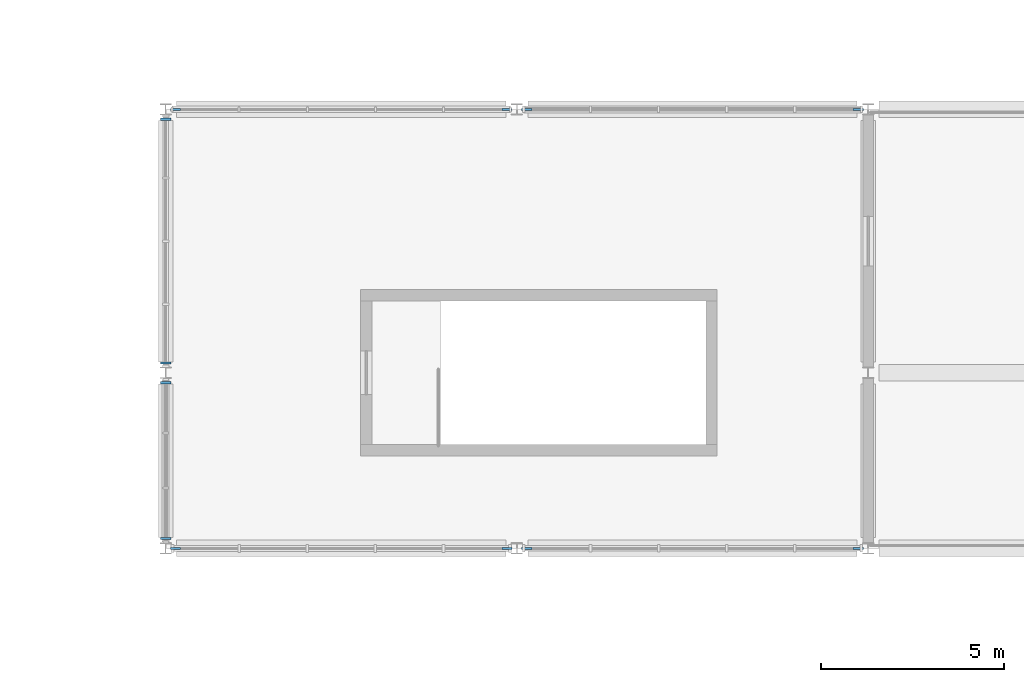
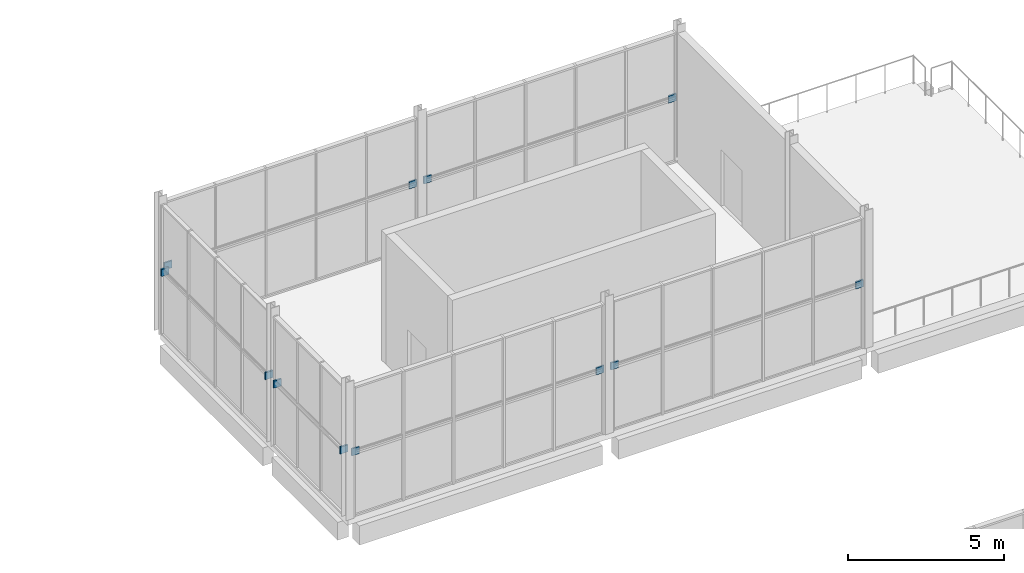
# One storey, part 52 of 83: 12 plates.
"""IFC4 building model written with IfcOpenShell, lengths in metres."""

from ifc_helpers import new_model, si_unit, direction, frame, origin, origin_2d, place, context, subcontext, project, spatial, rectangle, extrude, material, layer, layer_set, type_object, element, save


model = new_model("IFC4")

# Units and contexts
model_context = context("Model", 3, precision=1e-05, world=origin(), true_north=direction((0.0, 1.0)))
body_context = subcontext(model_context, "Body", "Model", "MODEL_VIEW")
ifc_project = project(units=[si_unit("LENGTHUNIT", "METRE"), si_unit("AREAUNIT", "SQUARE_METRE"), si_unit("VOLUMEUNIT", "CUBIC_METRE"), si_unit("PLANEANGLEUNIT", "RADIAN"), si_unit("MASSUNIT", "GRAM", prefix="KILO")], contexts=[model_context])

# Site, building, storey
site_placement = place(None, origin())
site = spatial("IfcSite", under=ifc_project, at=site_placement, CompositionType="ELEMENT")
building_placement = place(site_placement, origin())
building = spatial("IfcBuilding", under=site, at=building_placement, Name="Shalvenor Court Art Gallery", CompositionType="ELEMENT")
storey_placement = place(building_placement, frame((0.0, 0.0, 6.0)))
storey = spatial("IfcBuildingStorey", under=building, at=storey_placement, Name="L01", CompositionType="ELEMENT", Elevation=6.0)

# Plates
ifc_material = material(Name="Steel S355", Category="steel")
ifc_layer = layer(ifc_material, 0.02197265625, Name="Steel S355")
ifc_layer_set = layer_set([ifc_layer], Name="Steel S355")
plate_type = type_object("IfcPlateType", Name="EP-04", PredefinedType="USERDEFINED", material=ifc_layer_set)
for number, where, z_axis, x_axis, name in (
    (1, (48.27001953125, 57.60009765625, 2.35986328125), (0.0, 0.0, 1.0), (1.0, 0.0, 0.0), "Cloister Rail End Cap 199"),
    (2, (57.330078125, 57.60009765625, 2.35986328125), (0.0, 0.0, 1.0), (1.0, 0.0, 0.0), "Cloister Rail End Cap 199"),
    (3, (57.8701171875, 57.60009765625, 2.35986328125), (0.0, 0.0, 1.0), (1.0, 0.0, 0.0), "Cloister Rail End Cap 200"),
    (4, (66.929931640625, 57.60009765625, 2.35986328125), (0.0, 0.0, 1.0), (1.0, 0.0, 0.0), "Cloister Rail End Cap 200"),
    (5, (66.929931640625, 45.60009765625, 2.35986328125), (0.0, 0.0, 1.0), (1.0, 0.0, 0.0), "Cloister Rail End Cap 201"),
    (6, (57.8701171875, 45.60009765625, 2.35986328125), (0.0, 0.0, 1.0), (1.0, 0.0, 0.0), "Cloister Rail End Cap 201"),
    (7, (57.330078125, 45.60009765625, 2.35986328125), (0.0, 0.0, 1.0), (1.0, 0.0, 0.0), "Cloister Rail End Cap 202"),
    (8, (48.27001953125, 45.60009765625, 2.35986328125), (0.0, 0.0, 1.0), (1.0, 0.0, 0.0), "Cloister Rail End Cap 202"),
    (9, (48.0, 45.8701171875, 2.35986328125), (0.0, 0.0, 1.0), (1.0, 0.0, 0.0), "Cloister Rail End Cap 203"),
    (10, (48.0, 50.1298828125, 2.35986328125), (0.0, 0.0, 1.0), (1.0, 0.0, 0.0), "Cloister Rail End Cap 203"),
    (11, (48.0, 50.669921875, 2.35986328125), (0.0, 0.0, 1.0), (1.0, 0.0, 0.0), "Cloister Rail End Cap 204"),
    (12, (48.0, 57.330078125, 2.35986328125), (0.0, 0.0, 1.0), (1.0, 0.0, 0.0), "Cloister Rail End Cap 204"),
):
    element("IfcPlate", number, at=place(storey_placement, frame(where, z_axis=z_axis, x_axis=x_axis)), inside=storey, type_object=plate_type, Name=name, ObjectType="STIFFENER PLATE", PredefinedType="USERDEFINED", context=body_context, shape_type="SweptSolid", body=[
        extrude(rectangle(XDim=0.280029296875, YDim=0.06005859375, at=origin_2d()), origin(), (0.0, 0.0, 1.0), 0.280029296875),
    ])

save(model, "model.ifc")
